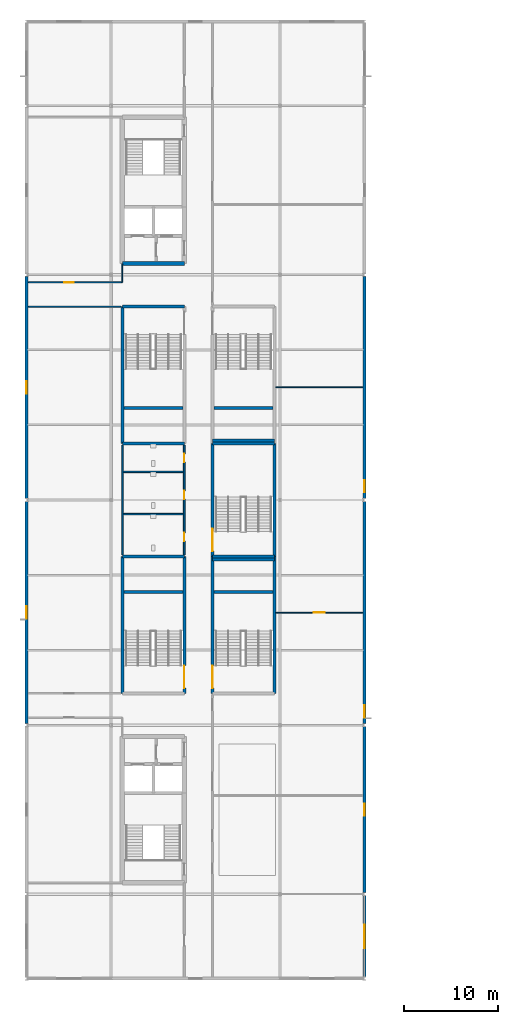
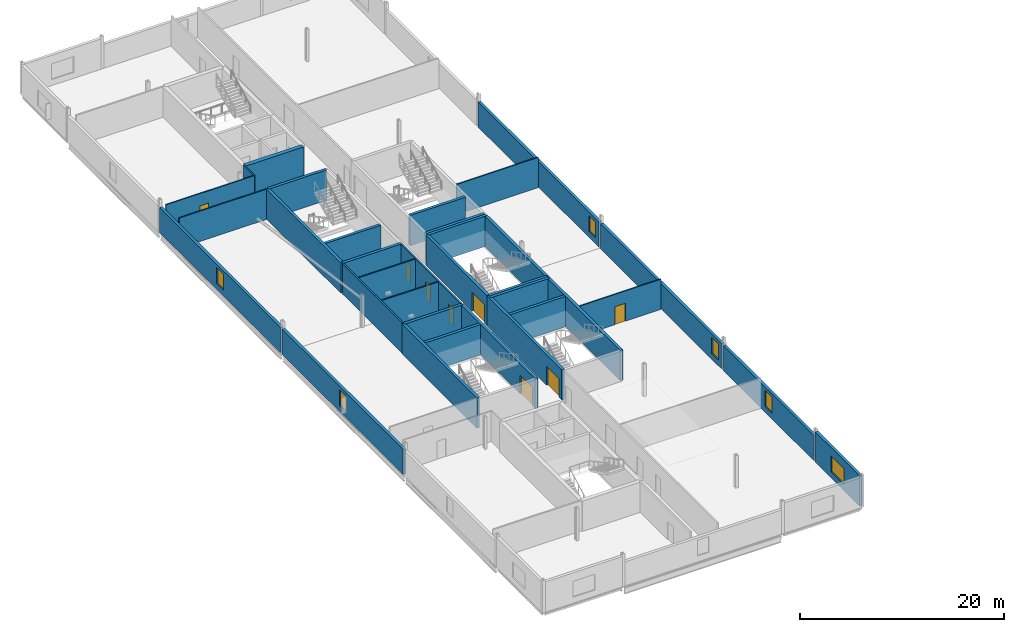
# One storey, part 15 of 31: 34 walls, 8 doors, 6 windows, 14 openings.
"""IFC4 building model written with IfcOpenShell, lengths in metres."""

from ifc_helpers import new_model, si_unit, direction, frame, frame_2d, origin, place, context, subcontext, project, spatial, rectangle, extrude, material, layer, layer_set, type_object, element, fill, save


model = new_model("IFC4")

# Units and contexts
model_context = context("Model", 3, precision=1e-05, world=origin(), true_north=direction((0.0, 1.0)))
body_context = subcontext(model_context, "Body", "Model", "MODEL_VIEW")
ifc_project = project(units=[si_unit("LENGTHUNIT", "METRE"), si_unit("AREAUNIT", "SQUARE_METRE"), si_unit("VOLUMEUNIT", "CUBIC_METRE"), si_unit("PLANEANGLEUNIT", "RADIAN"), si_unit("MASSUNIT", "GRAM", prefix="KILO")], contexts=[model_context])

# Site, building, storey
site_placement = place(None, origin())
site = spatial("IfcSite", under=ifc_project, at=site_placement, CompositionType="ELEMENT")
building_placement = place(site_placement, origin())
building = spatial("IfcBuilding", under=site, at=building_placement, Name="Kisiwana Market Hall", CompositionType="ELEMENT")
storey_placement = place(building_placement, frame((0.0, 0.0, 45.60009765625)))
storey = spatial("IfcBuildingStorey", under=building, at=storey_placement, Name="L10", CompositionType="ELEMENT", Elevation=45.60009765625)

# Walls
ifc_material_1 = material(Name="Concrete C40/50", Category="concrete")
ifc_layer_1 = layer(ifc_material_1, 0.320068359375, Name="Reinforced concrete shaft wall")
ifc_layer_set_1 = layer_set([ifc_layer_1], Name="WL-CORE-320")
wall_type_1 = type_object("IfcWallType", Name="WL-CORE-320", PredefinedType="SHEAR", material=ifc_layer_set_1)
wall_1_placement = place(storey_placement, frame((10.199951171875, 54.0, 0.0), z_axis=(0.0, 0.0, 1.0), x_axis=(1.0, 0.0, 0.0)))
element("IfcWall", 1, at=wall_1_placement, inside=storey, type_object=wall_type_1, Name="Core W3 north shear wall W-2624", PredefinedType="SHEAR", context=body_context, shape_type="SweptSolid", body=[
    extrude(rectangle(XDim=6.60009765625, YDim=0.320068359375, at=frame_2d((3.300048828125, 0.0))), origin(), (0.0, 0.0, 1.0), 3.619873046875),
])
wall_2_placement = place(storey_placement, frame((10.199951171875, 39.39990234375, 0.0), z_axis=(0.0, 0.0, 1.0), x_axis=(0.0, 1.0, 0.0)))
element("IfcWall", 2, at=wall_2_placement, inside=storey, type_object=wall_type_1, Name="Core W3 outer shear wall W-2625", PredefinedType="SHEAR", context=body_context, shape_type="SweptSolid", body=[
    extrude(rectangle(XDim=14.60009765625, YDim=0.320068359375, at=frame_2d((7.300048828125, 0.0))), origin(), (0.0, 0.0, 1.0), 3.619873046875),
])

# Wall, opening, door
wall_3_placement = place(storey_placement, frame((16.800048828125, 39.39990234375, 0.0), z_axis=(0.0, 0.0, 1.0), x_axis=(0.0, 1.0, 0.0)))
wall_3 = element("IfcWall", 3, at=wall_3_placement, inside=storey, type_object=wall_type_1, Name="Core W3 corridor shear wall W-2626", PredefinedType="SHEAR", context=body_context, shape_type="SweptSolid", body=[
    extrude(rectangle(XDim=14.60009765625, YDim=0.320068359375, at=frame_2d((7.300048828125, 0.0))), origin(), (0.0, 0.0, 1.0), 3.619873046875),
])
opening_1_placement = place(wall_3_placement, frame((0.550048828125, 0.0, 0.0)))
opening_1 = element("IfcOpeningElement", 4, at=opening_1_placement, cuts=wall_3, Name="Opening DR-L10-013", PredefinedType="OPENING", context=body_context, shape_type="SweptSolid", body=[
    extrude(rectangle(XDim=2.39990234375, YDim=2.25, at=frame_2d((1.199951171875, 1.125))), frame((0.0, 0.171875, 0.0), z_axis=(0.0, -1.0, 0.0), x_axis=(1.0, 0.0, 0.0)), (0.0, 0.0, 1.0), 0.343994140625),
])
ifc_material_2 = material(Name="Steel S275", Category="steel")
door_type_1 = type_object("IfcDoorType", Name="DR-STAIR-FD120-2400", OperationType="DOUBLE_DOOR_SINGLE_SWING", PredefinedType="DOOR", material=ifc_material_2)
door_1_placement = place(opening_1_placement, origin())
door_1 = element("IfcDoor", 5, at=door_1_placement, inside=storey, type_object=door_type_1, Name="Escape Stair W3 Fire Door (L10)", OperationType="DOUBLE_DOOR_SINGLE_SWING", OverallHeight=2.25, OverallWidth=2.39990234375, PredefinedType="DOOR", context=body_context, shape_type="SweptSolid", body=[
    extrude(rectangle(XDim=2.39990234375, YDim=2.25, at=frame_2d((1.199951171875, 1.125))), frame((0.0, 0.02490234375, 0.0), z_axis=(0.0, -1.0, 0.0), x_axis=(1.0, 0.0, 0.0)), (0.0, 0.0, 1.0), 0.050048828125),
])
fill(opening_1, door_1)

# Walls
wall_4_placement = place(storey_placement, frame((10.360107421875, 50.219970703125, 0.0), z_axis=(0.0, 0.0, 1.0), x_axis=(1.0, 0.0, 0.0)))
element("IfcWall", 6, at=wall_4_placement, inside=storey, type_object=wall_type_1, Name="Core W3 riser divider shear wall W-2627", PredefinedType="SHEAR", context=body_context, shape_type="SweptSolid", body=[
    extrude(rectangle(XDim=6.27978515625, YDim=0.320068359375, at=frame_2d((3.139892578125, 0.0))), origin(), (0.0, 0.0, 1.0), 3.619873046875),
])
for number, where, z_axis, x_axis, name in (
    (7, (10.199951171875, 66.0, 0.0), (0.0, 0.0, 1.0), (1.0, 0.0, 0.0), "Core W4 south shear wall W-2628"),
    (8, (10.199951171875, 80.60009765625, 0.0), (0.0, 0.0, 1.0), (1.0, 0.0, 0.0), "Core W4 north shear wall W-2629"),
):
    element("IfcWall", number, at=place(storey_placement, frame(where, z_axis=z_axis, x_axis=x_axis)), inside=storey, type_object=wall_type_1, Name=name, PredefinedType="SHEAR", context=body_context, shape_type="SweptSolid", body=[
        extrude(rectangle(XDim=6.60009765625, YDim=0.320068359375, at=frame_2d((3.300048828125, 0.0))), origin(), (0.0, 0.0, 1.0), 3.619873046875),
    ])
wall_5_placement = place(storey_placement, frame((10.199951171875, 66.0, 0.0), z_axis=(0.0, 0.0, 1.0), x_axis=(0.0, 1.0, 0.0)))
element("IfcWall", 9, at=wall_5_placement, inside=storey, type_object=wall_type_1, Name="Core W4 outer shear wall W-2630", PredefinedType="SHEAR", context=body_context, shape_type="SweptSolid", body=[
    extrude(rectangle(XDim=14.60009765625, YDim=0.320068359375, at=frame_2d((7.300048828125, 0.0))), origin(), (0.0, 0.0, 1.0), 3.619873046875),
])
wall_6_placement = place(storey_placement, frame((10.360107421875, 69.780029296875, 0.0), z_axis=(0.0, 0.0, 1.0), x_axis=(1.0, 0.0, 0.0)))
element("IfcWall", 10, at=wall_6_placement, inside=storey, type_object=wall_type_1, Name="Core W4 riser divider shear wall W-2632", PredefinedType="SHEAR", context=body_context, shape_type="SweptSolid", body=[
    extrude(rectangle(XDim=6.27978515625, YDim=0.320068359375, at=frame_2d((3.139892578125, 0.0))), origin(), (0.0, 0.0, 1.0), 3.619873046875),
])
wall_7_placement = place(storey_placement, frame((19.800048828125, 54.0, 0.0), z_axis=(0.0, 0.0, 1.0), x_axis=(1.0, 0.0, 0.0)))
element("IfcWall", 11, at=wall_7_placement, inside=storey, type_object=wall_type_1, Name="Core W7 north shear wall W-2644", PredefinedType="SHEAR", context=body_context, shape_type="SweptSolid", body=[
    extrude(rectangle(XDim=6.599853515625, YDim=0.320068359375, at=frame_2d((3.2998046875, 0.0))), origin(), (0.0, 0.0, 1.0), 3.619873046875),
])

# Wall, opening, door
wall_8_placement = place(storey_placement, frame((19.800048828125, 39.39990234375, 0.0), z_axis=(0.0, 0.0, 1.0), x_axis=(0.0, 1.0, 0.0)))
wall_8 = element("IfcWall", 12, at=wall_8_placement, inside=storey, type_object=wall_type_1, Name="Core W7 corridor shear wall W-2645", PredefinedType="SHEAR", context=body_context, shape_type="SweptSolid", body=[
    extrude(rectangle(XDim=14.60009765625, YDim=0.320068359375, at=frame_2d((7.300048828125, 0.0))), origin(), (0.0, 0.0, 1.0), 3.619873046875),
])
opening_2_placement = place(wall_8_placement, frame((0.550048828125, 0.0, 0.0)))
opening_2 = element("IfcOpeningElement", 13, at=opening_2_placement, cuts=wall_8, Name="Opening DR-L10-017", PredefinedType="OPENING", context=body_context, shape_type="SweptSolid", body=[
    extrude(rectangle(XDim=2.39990234375, YDim=2.25, at=frame_2d((1.199951171875, 1.125))), frame((0.0, 0.171875, 0.0), z_axis=(0.0, -1.0, 0.0), x_axis=(1.0, 0.0, 0.0)), (0.0, 0.0, 1.0), 0.343994140625),
])
door_2_placement = place(opening_2_placement, frame((2.39990234375, 0.0, 0.0), z_axis=(0.0, 0.0, 1.0), x_axis=(-1.0, 0.0, 0.0)))
door_2 = element("IfcDoor", 14, at=door_2_placement, inside=storey, type_object=door_type_1, Name="Escape Stair W7 Fire Door (L10)", OperationType="DOUBLE_DOOR_SINGLE_SWING", OverallHeight=2.25, OverallWidth=2.39990234375, PredefinedType="DOOR", context=body_context, shape_type="SweptSolid", body=[
    extrude(rectangle(XDim=2.39990234375, YDim=2.25, at=frame_2d((1.199951171875, 1.125))), frame((0.0, 0.02490234375, 0.0), z_axis=(0.0, -1.0, 0.0), x_axis=(1.0, 0.0, 0.0)), (0.0, 0.0, 1.0), 0.050048828125),
])
fill(opening_2, door_2)

# Walls
wall_9_placement = place(storey_placement, frame((26.39990234375, 39.39990234375, 0.0), z_axis=(0.0, 0.0, 1.0), x_axis=(0.0, 1.0, 0.0)))
element("IfcWall", 15, at=wall_9_placement, inside=storey, type_object=wall_type_1, Name="Core W7 outer shear wall W-2646", PredefinedType="SHEAR", context=body_context, shape_type="SweptSolid", body=[
    extrude(rectangle(XDim=14.60009765625, YDim=0.320068359375, at=frame_2d((7.300048828125, 0.0))), origin(), (0.0, 0.0, 1.0), 3.619873046875),
])
wall_10_placement = place(storey_placement, frame((19.9599609375, 50.219970703125, 0.0), z_axis=(0.0, 0.0, 1.0), x_axis=(1.0, 0.0, 0.0)))
element("IfcWall", 16, at=wall_10_placement, inside=storey, type_object=wall_type_1, Name="Core W7 riser divider shear wall W-2647", PredefinedType="SHEAR", context=body_context, shape_type="SweptSolid", body=[
    extrude(rectangle(XDim=6.280029296875, YDim=0.320068359375, at=frame_2d((3.14013671875, 0.0))), origin(), (0.0, 0.0, 1.0), 3.619873046875),
])
wall_11_placement = place(storey_placement, frame((19.800048828125, 66.0, 0.0), z_axis=(0.0, 0.0, 1.0), x_axis=(1.0, 0.0, 0.0)))
element("IfcWall", 17, at=wall_11_placement, inside=storey, type_object=wall_type_1, Name="Core W8 south shear wall W-2653", PredefinedType="SHEAR", context=body_context, shape_type="SweptSolid", body=[
    extrude(rectangle(XDim=6.599853515625, YDim=0.320068359375, at=frame_2d((3.2998046875, 0.0))), origin(), (0.0, 0.0, 1.0), 3.619873046875),
])
wall_12_placement = place(storey_placement, frame((19.9599609375, 69.780029296875, 0.0), z_axis=(0.0, 0.0, 1.0), x_axis=(1.0, 0.0, 0.0)))
element("IfcWall", 18, at=wall_12_placement, inside=storey, type_object=wall_type_1, Name="Core W8 riser divider shear wall W-2657", PredefinedType="SHEAR", context=body_context, shape_type="SweptSolid", body=[
    extrude(rectangle(XDim=6.280029296875, YDim=0.320068359375, at=frame_2d((3.14013671875, 0.0))), origin(), (0.0, 0.0, 1.0), 3.619873046875),
])
for number, where, z_axis, x_axis, name in (
    (19, (19.800048828125, 53.679931640625, 0.0), (0.0, 0.0, 1.0), (1.0, 0.0, 0.0), "Core W5 south shear wall W-2663"),
    (20, (19.800048828125, 66.320068359375, 0.0), (0.0, 0.0, 1.0), (1.0, 0.0, 0.0), "Core W5 north shear wall W-2664"),
):
    element("IfcWall", number, at=place(storey_placement, frame(where, z_axis=z_axis, x_axis=x_axis)), inside=storey, type_object=wall_type_1, Name=name, PredefinedType="SHEAR", context=body_context, shape_type="SweptSolid", body=[
        extrude(rectangle(XDim=6.599853515625, YDim=0.320068359375, at=frame_2d((3.2998046875, 0.0))), origin(), (0.0, 0.0, 1.0), 3.619873046875),
    ])

# Wall, opening, door
wall_13_placement = place(storey_placement, frame((19.800048828125, 54.0, 0.0), z_axis=(0.0, 0.0, 1.0), x_axis=(0.0, 1.0, 0.0)))
wall_13 = element("IfcWall", 21, at=wall_13_placement, inside=storey, type_object=wall_type_1, Name="Core W5 corridor shear wall W-2665", PredefinedType="SHEAR", context=body_context, shape_type="SweptSolid", body=[
    extrude(rectangle(XDim=12.0, YDim=0.320068359375, at=frame_2d((6.0, 0.0))), origin(), (0.0, 0.0, 1.0), 3.619873046875),
])
opening_3_placement = place(wall_13_placement, frame((0.550048828125, 0.0, 0.0)))
opening_3 = element("IfcOpeningElement", 22, at=opening_3_placement, cuts=wall_13, Name="Opening DR-L10-021", PredefinedType="OPENING", context=body_context, shape_type="SweptSolid", body=[
    extrude(rectangle(XDim=2.39990234375, YDim=2.25, at=frame_2d((1.199951171875, 1.125))), frame((0.0, 0.171875, 0.0), z_axis=(0.0, -1.0, 0.0), x_axis=(1.0, 0.0, 0.0)), (0.0, 0.0, 1.0), 0.343994140625),
])
door_3_placement = place(opening_3_placement, frame((2.39990234375, 0.0, 0.0), z_axis=(0.0, 0.0, 1.0), x_axis=(-1.0, 0.0, 0.0)))
door_3 = element("IfcDoor", 23, at=door_3_placement, inside=storey, type_object=door_type_1, Name="Escape Stair W5 Fire Door (L10)", OperationType="DOUBLE_DOOR_SINGLE_SWING", OverallHeight=2.25, OverallWidth=2.39990234375, PredefinedType="DOOR", context=body_context, shape_type="SweptSolid", body=[
    extrude(rectangle(XDim=2.39990234375, YDim=2.25, at=frame_2d((1.199951171875, 1.125))), frame((0.0, 0.02490234375, 0.0), z_axis=(0.0, -1.0, 0.0), x_axis=(1.0, 0.0, 0.0)), (0.0, 0.0, 1.0), 0.050048828125),
])
fill(opening_3, door_3)

# Walls
wall_14_placement = place(storey_placement, frame((26.39990234375, 54.0, 0.0), z_axis=(0.0, 0.0, 1.0), x_axis=(0.0, 1.0, 0.0)))
element("IfcWall", 24, at=wall_14_placement, inside=storey, type_object=wall_type_1, Name="Core W5 outer shear wall W-2666", PredefinedType="SHEAR", context=body_context, shape_type="SweptSolid", body=[
    extrude(rectangle(XDim=12.0, YDim=0.320068359375, at=frame_2d((6.0, 0.0))), origin(), (0.0, 0.0, 1.0), 3.619873046875),
])
ifc_material_3 = material(Name="Concrete C40/50", Category="concrete")
ifc_layer_2 = layer(ifc_material_3, 0.449951171875, Name="Reinforced concrete core wall")
ifc_layer_set_2 = layer_set([ifc_layer_2], Name="WL-CORE-450")
wall_type_2 = type_object("IfcWallType", Name="WL-CORE-450", PredefinedType="SHEAR", material=ifc_layer_set_2)
wall_15_placement = place(storey_placement, frame((10.199951171875, 85.199951171875, 0.0), z_axis=(0.0, 0.0, 1.0), x_axis=(1.0, 0.0, 0.0)))
element("IfcWall", 25, at=wall_15_placement, inside=storey, type_object=wall_type_2, Name="Core W1 south shear wall W-2596", PredefinedType="SHEAR", context=body_context, shape_type="SweptSolid", body=[
    extrude(rectangle(XDim=6.60009765625, YDim=0.449951171875, at=frame_2d((3.300048828125, 0.0))), origin(), (0.0, 0.0, 1.0), 3.619873046875),
])
ifc_material_4 = material(Name="Masonry blockwork", Category="masonry")
ifc_layer_3 = layer(ifc_material_4, 0.169921875, Name="Protected corridor partition")
ifc_layer_set_3 = layer_set([ifc_layer_3], Name="WL-CORR-170")
wall_type_3 = type_object("IfcWallType", Name="WL-CORR-170", PredefinedType="PARTITIONING", material=ifc_layer_set_3)
wall_16_placement = place(storey_placement, frame((10.199951171875, 54.159912109375, 0.0), z_axis=(0.0, 0.0, 1.0), x_axis=(0.0, 1.0, 0.0)))
element("IfcWall", 26, at=wall_16_placement, inside=storey, type_object=wall_type_3, Name="Interior partition W-2711", PredefinedType="PARTITIONING", context=body_context, shape_type="SweptSolid", body=[
    extrude(rectangle(XDim=11.68017578125, YDim=0.169921875, at=frame_2d((5.840087890625, 0.0))), origin(), (0.0, 0.0, 1.0), 3.619873046875),
])

# Wall, openings, doors
wall_17_placement = place(storey_placement, frame((16.800048828125, 54.159912109375, 0.0), z_axis=(0.0, 0.0, 1.0), x_axis=(0.0, 1.0, 0.0)))
wall_17 = element("IfcWall", 27, at=wall_17_placement, inside=storey, type_object=wall_type_3, Name="Interior partition W-2712", PredefinedType="PARTITIONING", context=body_context, shape_type="SweptSolid", body=[
    extrude(rectangle(XDim=11.68017578125, YDim=0.169921875, at=frame_2d((5.840087890625, 0.0))), origin(), (0.0, 0.0, 1.0), 3.619873046875),
])
opening_4_placement = place(wall_17_placement, frame((1.43994140625, 0.0, 0.0)))
opening_4 = element("IfcOpeningElement", 28, at=opening_4_placement, cuts=wall_17, Name="Opening DR-L10-023", PredefinedType="OPENING", context=body_context, shape_type="SweptSolid", body=[
    extrude(rectangle(XDim=0.89990234375, YDim=2.10009765625, at=frame_2d((0.449951171875, 1.050048828125))), frame((0.0, 0.096923828125, 0.0), z_axis=(0.0, -1.0, 0.0), x_axis=(1.0, 0.0, 0.0)), (0.0, 0.0, 1.0), 0.19384765625),
])
opening_5_placement = place(wall_17_placement, frame((5.93994140625, 0.0, 0.0)))
opening_5 = element("IfcOpeningElement", 29, at=opening_5_placement, cuts=wall_17, Name="Opening DR-L10-024", PredefinedType="OPENING", context=body_context, shape_type="SweptSolid", body=[
    extrude(rectangle(XDim=0.89990234375, YDim=2.10009765625, at=frame_2d((0.449951171875, 1.050048828125))), frame((0.0, 0.096923828125, 0.0), z_axis=(0.0, -1.0, 0.0), x_axis=(1.0, 0.0, 0.0)), (0.0, 0.0, 1.0), 0.19384765625),
])
opening_6_placement = place(wall_17_placement, frame((9.840087890625, 0.0, 0.0)))
opening_6 = element("IfcOpeningElement", 30, at=opening_6_placement, cuts=wall_17, Name="Opening DR-L10-025", PredefinedType="OPENING", context=body_context, shape_type="SweptSolid", body=[
    extrude(rectangle(XDim=0.949951171875, YDim=2.10009765625, at=frame_2d((0.47509765625, 1.050048828125))), frame((0.0, 0.096923828125, 0.0), z_axis=(0.0, -1.0, 0.0), x_axis=(1.0, 0.0, 0.0)), (0.0, 0.0, 1.0), 0.19384765625),
])
ifc_material_5 = material(Name="Aluminium alloy 6063-T6", Category="aluminium")
door_type_2 = type_object("IfcDoorType", Name="DR-WC-ACC-950", OperationType="NOTDEFINED", PredefinedType="DOOR", material=ifc_material_5)
door_4_placement = place(opening_6_placement, origin())
door_4 = element("IfcDoor", 31, at=door_4_placement, inside=storey, type_object=door_type_2, Name="L10 W Accessible WC Door", OperationType="SINGLE_SWING_RIGHT", OverallHeight=2.10009765625, OverallWidth=0.949951171875, PredefinedType="DOOR", context=body_context, shape_type="SweptSolid", body=[
    extrude(rectangle(XDim=0.949951171875, YDim=2.10009765625, at=frame_2d((0.47509765625, 1.050048828125))), frame((0.0, 0.02490234375, 0.0), z_axis=(0.0, -1.0, 0.0), x_axis=(1.0, 0.0, 0.0)), (0.0, 0.0, 1.0), 0.050048828125),
])
fill(opening_6, door_4)
ifc_material_6 = material(Name="Aluminium alloy 6063-T6", Category="aluminium")
door_type_3 = type_object("IfcDoorType", Name="DR-WC-STD-900", OperationType="NOTDEFINED", PredefinedType="DOOR", material=ifc_material_6)
door_5_placement = place(opening_4_placement, origin())
door_5 = element("IfcDoor", 32, at=door_5_placement, inside=storey, type_object=door_type_3, Name="L10 W Male Toilet Door", OperationType="SINGLE_SWING_LEFT", OverallHeight=2.10009765625, OverallWidth=0.89990234375, PredefinedType="DOOR", context=body_context, shape_type="SweptSolid", body=[
    extrude(rectangle(XDim=0.89990234375, YDim=2.10009765625, at=frame_2d((0.449951171875, 1.050048828125))), frame((0.0, 0.02490234375, 0.0), z_axis=(0.0, -1.0, 0.0), x_axis=(1.0, 0.0, 0.0)), (0.0, 0.0, 1.0), 0.050048828125),
])
fill(opening_4, door_5)
door_6_placement = place(opening_5_placement, origin())
door_6 = element("IfcDoor", 33, at=door_6_placement, inside=storey, type_object=door_type_3, Name="L10 W Female Toilet Door", OperationType="SINGLE_SWING_RIGHT", OverallHeight=2.10009765625, OverallWidth=0.89990234375, PredefinedType="DOOR", context=body_context, shape_type="SweptSolid", body=[
    extrude(rectangle(XDim=0.89990234375, YDim=2.10009765625, at=frame_2d((0.449951171875, 1.050048828125))), frame((0.0, 0.02490234375, 0.0), z_axis=(0.0, -1.0, 0.0), x_axis=(1.0, 0.0, 0.0)), (0.0, 0.0, 1.0), 0.050048828125),
])
fill(opening_5, door_6)

# Wall, opening, window
ifc_material_7 = material(Name="Concrete C40/50 precast", Category="concrete")
ifc_layer_4 = layer(ifc_material_7, 0.31494140625)
ifc_layer_set_4 = layer_set([ifc_layer_4], Name="WL-EXT-315")
wall_type_4 = type_object("IfcWallType", Name="WL-EXT-315", PredefinedType="STANDARD", material=ifc_layer_set_4)
wall_18_placement = place(storey_placement, frame((0.0, 36.159912109375, 0.0), z_axis=(0.0, 0.0, 1.0), x_axis=(0.0, 1.0, 0.0)))
wall_18 = element("IfcWall", 34, at=wall_18_placement, inside=storey, type_object=wall_type_4, Name="Exterior wall W-2685", PredefinedType="STANDARD", context=body_context, shape_type="SweptSolid", body=[
    extrude(rectangle(XDim=23.68017578125, YDim=0.31494140625, at=frame_2d((11.840087890625, 0.0))), origin(), (0.0, 0.0, 1.0), 3.0078125),
])
opening_7_placement = place(wall_18_placement, frame((11.190185546875, 0.0, 0.699951171875)))
opening_7 = element("IfcOpeningElement", 35, at=opening_7_placement, cuts=wall_18, Name="Opening WN-08", PredefinedType="OPENING", context=body_context, shape_type="SweptSolid", body=[
    extrude(rectangle(XDim=1.300048828125, YDim=1.89990234375, at=frame_2d((0.64990234375, 0.949951171875))), frame((0.0, 0.16943359375, 0.0), z_axis=(0.0, -1.0, 0.0), x_axis=(1.0, 0.0, 0.0)), (0.0, 0.0, 1.0), 0.3388671875),
])
ifc_material_8 = material(Name="Double-glazed solar-control low-E IGU", Category="glass")
window_type_1 = type_object("IfcWindowType", Name="WN-OFFB-1300x1900", PartitioningType="SINGLE_PANEL", PredefinedType="WINDOW", material=ifc_material_8)
window_1_placement = place(opening_7_placement, origin())
window_1 = element("IfcWindow", 36, at=window_1_placement, inside=storey, type_object=window_type_1, Name="Exterior window WN-299", OverallHeight=1.89990234375, OverallWidth=1.300048828125, PartitioningType="SINGLE_PANEL", PredefinedType="WINDOW", context=body_context, shape_type="SweptSolid", body=[
    extrude(rectangle(XDim=1.300048828125, YDim=1.89990234375, at=frame_2d((0.64990234375, 0.949951171875))), frame((0.0, 0.030029296875, 0.0), z_axis=(0.0, -1.0, 0.0), x_axis=(1.0, 0.0, 0.0)), (0.0, 0.0, 1.0), 0.06005859375),
])
fill(opening_7, window_1)

wall_19_placement = place(storey_placement, frame((0.0, 60.159912109375, 0.0), z_axis=(0.0, 0.0, 1.0), x_axis=(0.0, 1.0, 0.0)))
wall_19 = element("IfcWall", 37, at=wall_19_placement, inside=storey, type_object=wall_type_4, Name="Exterior wall W-2686", PredefinedType="STANDARD", context=body_context, shape_type="SweptSolid", body=[
    extrude(rectangle(XDim=23.68017578125, YDim=0.31494140625, at=frame_2d((11.840087890625, 0.0))), origin(), (0.0, 0.0, 1.0), 3.0078125),
])
opening_8_placement = place(wall_19_placement, frame((11.190185546875, 0.0, 0.699951171875)))
opening_8 = element("IfcOpeningElement", 38, at=opening_8_placement, cuts=wall_19, Name="Opening WN-08", PredefinedType="OPENING", context=body_context, shape_type="SweptSolid", body=[
    extrude(rectangle(XDim=1.300048828125, YDim=1.89990234375, at=frame_2d((0.64990234375, 0.949951171875))), frame((0.0, 0.16943359375, 0.0), z_axis=(0.0, -1.0, 0.0), x_axis=(1.0, 0.0, 0.0)), (0.0, 0.0, 1.0), 0.3388671875),
])
window_2_placement = place(opening_8_placement, origin())
window_2 = element("IfcWindow", 39, at=window_2_placement, inside=storey, type_object=window_type_1, Name="Exterior window WN-300", OverallHeight=1.89990234375, OverallWidth=1.300048828125, PartitioningType="SINGLE_PANEL", PredefinedType="WINDOW", context=body_context, shape_type="SweptSolid", body=[
    extrude(rectangle(XDim=1.300048828125, YDim=1.89990234375, at=frame_2d((0.64990234375, 0.949951171875))), frame((0.0, 0.030029296875, 0.0), z_axis=(0.0, -1.0, 0.0), x_axis=(1.0, 0.0, 0.0)), (0.0, 0.0, 1.0), 0.06005859375),
])
fill(opening_8, window_2)

wall_20_placement = place(storey_placement, frame((36.0, 9.159912109375, 0.0), z_axis=(0.0, 0.0, 1.0), x_axis=(0.0, 1.0, 0.0)))
wall_20 = element("IfcWall", 40, at=wall_20_placement, inside=storey, type_object=wall_type_4, Name="Exterior wall W-2689", PredefinedType="STANDARD", context=body_context, shape_type="SweptSolid", body=[
    extrude(rectangle(XDim=8.680419921875, YDim=0.31494140625, at=frame_2d((4.34033203125, 0.0))), origin(), (0.0, 0.0, 1.0), 3.619873046875),
])
opening_9_placement = place(wall_20_placement, frame((3.09033203125, 0.0, 0.699951171875)))
opening_9 = element("IfcOpeningElement", 41, at=opening_9_placement, cuts=wall_20, Name="Opening WN-17", PredefinedType="OPENING", context=body_context, shape_type="SweptSolid", body=[
    extrude(rectangle(XDim=2.5, YDim=1.89990234375, at=frame_2d((1.25, 0.949951171875))), frame((0.0, 0.16943359375, 0.0), z_axis=(0.0, -1.0, 0.0), x_axis=(1.0, 0.0, 0.0)), (0.0, 0.0, 1.0), 0.3388671875),
])
ifc_material_9 = material(Name="Double-glazed solar-control low-E IGU", Category="glass")
window_type_2 = type_object("IfcWindowType", Name="WN-OFFB-2500x1900", PartitioningType="SINGLE_PANEL", PredefinedType="WINDOW", material=ifc_material_9)
window_3_placement = place(opening_9_placement, origin())
window_3 = element("IfcWindow", 42, at=window_3_placement, inside=storey, type_object=window_type_2, Name="Exterior window WN-324", OverallHeight=1.89990234375, OverallWidth=2.5, PartitioningType="SINGLE_PANEL", PredefinedType="WINDOW", context=body_context, shape_type="SweptSolid", body=[
    extrude(rectangle(XDim=2.5, YDim=1.89990234375, at=frame_2d((1.25, 0.949951171875))), frame((0.0, 0.030029296875, 0.0), z_axis=(0.0, -1.0, 0.0), x_axis=(1.0, 0.0, 0.0)), (0.0, 0.0, 1.0), 0.06005859375),
])
fill(opening_9, window_3)

wall_21_placement = place(storey_placement, frame((36.0, 18.15966796875, 0.0), z_axis=(0.0, 0.0, 1.0), x_axis=(0.0, 1.0, 0.0)))
wall_21 = element("IfcWall", 43, at=wall_21_placement, inside=storey, type_object=wall_type_4, Name="Exterior wall W-2690", PredefinedType="STANDARD", context=body_context, shape_type="SweptSolid", body=[
    extrude(rectangle(XDim=17.680419921875, YDim=0.31494140625, at=frame_2d((8.84033203125, 0.0))), origin(), (0.0, 0.0, 1.0), 3.0078125),
])
opening_10_placement = place(wall_21_placement, frame((8.190185546875, 0.0, 0.699951171875)))
opening_10 = element("IfcOpeningElement", 44, at=opening_10_placement, cuts=wall_21, Name="Opening WN-08", PredefinedType="OPENING", context=body_context, shape_type="SweptSolid", body=[
    extrude(rectangle(XDim=1.300048828125, YDim=1.89990234375, at=frame_2d((0.64990234375, 0.949951171875))), frame((0.0, 0.16943359375, 0.0), z_axis=(0.0, -1.0, 0.0), x_axis=(1.0, 0.0, 0.0)), (0.0, 0.0, 1.0), 0.3388671875),
])
window_4_placement = place(opening_10_placement, origin())
window_4 = element("IfcWindow", 45, at=window_4_placement, inside=storey, type_object=window_type_1, Name="Exterior window WN-302", OverallHeight=1.89990234375, OverallWidth=1.300048828125, PartitioningType="SINGLE_PANEL", PredefinedType="WINDOW", context=body_context, shape_type="SweptSolid", body=[
    extrude(rectangle(XDim=1.300048828125, YDim=1.89990234375, at=frame_2d((0.64990234375, 0.949951171875))), frame((0.0, 0.030029296875, 0.0), z_axis=(0.0, -1.0, 0.0), x_axis=(1.0, 0.0, 0.0)), (0.0, 0.0, 1.0), 0.06005859375),
])
fill(opening_10, window_4)

wall_22_placement = place(storey_placement, frame((36.0, 36.159912109375, 0.0), z_axis=(0.0, 0.0, 1.0), x_axis=(0.0, 1.0, 0.0)))
wall_22 = element("IfcWall", 46, at=wall_22_placement, inside=storey, type_object=wall_type_4, Name="Exterior wall W-2691", PredefinedType="STANDARD", context=body_context, shape_type="SweptSolid", body=[
    extrude(rectangle(XDim=23.68017578125, YDim=0.31494140625, at=frame_2d((11.840087890625, 0.0))), origin(), (0.0, 0.0, 1.0), 3.0078125),
])
opening_11_placement = place(wall_22_placement, frame((0.64990234375, 0.0, 0.699951171875)))
opening_11 = element("IfcOpeningElement", 47, at=opening_11_placement, cuts=wall_22, Name="Opening WN-08", PredefinedType="OPENING", context=body_context, shape_type="SweptSolid", body=[
    extrude(rectangle(XDim=1.300048828125, YDim=1.89990234375, at=frame_2d((0.64990234375, 0.949951171875))), frame((0.0, 0.16943359375, 0.0), z_axis=(0.0, -1.0, 0.0), x_axis=(1.0, 0.0, 0.0)), (0.0, 0.0, 1.0), 0.3388671875),
])
window_5_placement = place(opening_11_placement, origin())
window_5 = element("IfcWindow", 48, at=window_5_placement, inside=storey, type_object=window_type_1, Name="Exterior window WN-303", OverallHeight=1.89990234375, OverallWidth=1.300048828125, PartitioningType="SINGLE_PANEL", PredefinedType="WINDOW", context=body_context, shape_type="SweptSolid", body=[
    extrude(rectangle(XDim=1.300048828125, YDim=1.89990234375, at=frame_2d((0.64990234375, 0.949951171875))), frame((0.0, 0.030029296875, 0.0), z_axis=(0.0, -1.0, 0.0), x_axis=(1.0, 0.0, 0.0)), (0.0, 0.0, 1.0), 0.06005859375),
])
fill(opening_11, window_5)

wall_23_placement = place(storey_placement, frame((36.0, 60.159912109375, 0.0), z_axis=(0.0, 0.0, 1.0), x_axis=(0.0, 1.0, 0.0)))
wall_23 = element("IfcWall", 49, at=wall_23_placement, inside=storey, type_object=wall_type_4, Name="Exterior wall W-2692", PredefinedType="STANDARD", context=body_context, shape_type="SweptSolid", body=[
    extrude(rectangle(XDim=23.68017578125, YDim=0.31494140625, at=frame_2d((11.840087890625, 0.0))), origin(), (0.0, 0.0, 1.0), 3.0078125),
])
opening_12_placement = place(wall_23_placement, frame((0.64990234375, 0.0, 0.699951171875)))
opening_12 = element("IfcOpeningElement", 50, at=opening_12_placement, cuts=wall_23, Name="Opening WN-08", PredefinedType="OPENING", context=body_context, shape_type="SweptSolid", body=[
    extrude(rectangle(XDim=1.300048828125, YDim=1.89990234375, at=frame_2d((0.64990234375, 0.949951171875))), frame((0.0, 0.16943359375, 0.0), z_axis=(0.0, -1.0, 0.0), x_axis=(1.0, 0.0, 0.0)), (0.0, 0.0, 1.0), 0.3388671875),
])
window_6_placement = place(opening_12_placement, origin())
window_6 = element("IfcWindow", 51, at=window_6_placement, inside=storey, type_object=window_type_1, Name="Exterior window WN-304", OverallHeight=1.89990234375, OverallWidth=1.300048828125, PartitioningType="SINGLE_PANEL", PredefinedType="WINDOW", context=body_context, shape_type="SweptSolid", body=[
    extrude(rectangle(XDim=1.300048828125, YDim=1.89990234375, at=frame_2d((0.64990234375, 0.949951171875))), frame((0.0, 0.030029296875, 0.0), z_axis=(0.0, -1.0, 0.0), x_axis=(1.0, 0.0, 0.0)), (0.0, 0.0, 1.0), 0.06005859375),
])
fill(opening_12, window_6)

# Walls
ifc_material_10 = material(Name="Gypsum plasterboard")
ifc_layer_5 = layer(ifc_material_10, 0.125, Name="Double gypsum board + acoustic stud")
ifc_layer_set_5 = layer_set([ifc_layer_5], Name="WL-OFF-125")
wall_type_5 = type_object("IfcWallType", Name="WL-OFF-125", PredefinedType="PARTITIONING", material=ifc_layer_set_5)
wall_24_placement = place(storey_placement, frame((10.199951171875, 83.199951171875, 0.0), z_axis=(0.0, 0.0, 1.0), x_axis=(0.0, 1.0, 0.0)))
element("IfcWall", 52, at=wall_24_placement, inside=storey, type_object=wall_type_5, Name="Interior partition W-2716", PredefinedType="PARTITIONING", context=body_context, shape_type="SweptSolid", body=[
    extrude(rectangle(XDim=2.0, YDim=0.125, at=frame_2d((1.0, 0.0))), origin(), (0.0, 0.0, 1.0), 3.619873046875),
])
wall_25_placement = place(storey_placement, frame((0.1826171875, 80.60009765625, 0.0), z_axis=(0.0, 0.0, 1.0), x_axis=(1.0, 0.0, 0.0)))
element("IfcWall", 53, at=wall_25_placement, inside=storey, type_object=wall_type_5, Name="Interior partition W-2721", PredefinedType="PARTITIONING", context=body_context, shape_type="SweptSolid", body=[
    extrude(rectangle(XDim=9.857421875, YDim=0.125, at=frame_2d((4.9287109375, 0.0))), origin(), (0.0, 0.0, 1.0), 3.619873046875),
])

# Wall, opening, door
wall_26_placement = place(storey_placement, frame((0.1826171875, 83.199951171875, 0.0), z_axis=(0.0, 0.0, 1.0), x_axis=(1.0, 0.0, 0.0)))
wall_26 = element("IfcWall", 54, at=wall_26_placement, inside=storey, type_object=wall_type_5, Name="Interior partition W-2722", PredefinedType="PARTITIONING", context=body_context, shape_type="SweptSolid", body=[
    extrude(rectangle(XDim=10.017333984375, YDim=0.125, at=frame_2d((5.0087890625, 0.0))), origin(), (0.0, 0.0, 1.0), 3.619873046875),
])
opening_13_placement = place(wall_26_placement, frame((3.81689453125, 0.0, 0.0)))
opening_13 = element("IfcOpeningElement", 55, at=opening_13_placement, cuts=wall_26, Name="Opening DR-L10-028", PredefinedType="OPENING", context=body_context, shape_type="SweptSolid", body=[
    extrude(rectangle(XDim=1.0, YDim=2.14990234375, at=frame_2d((0.5, 1.074951171875))), frame((0.0, 0.074462890625, 0.0), z_axis=(0.0, -1.0, 0.0), x_axis=(1.0, 0.0, 0.0)), (0.0, 0.0, 1.0), 0.14892578125),
])
ifc_material_11 = material(Name="Aluminium alloy 6063-T6", Category="aluminium")
door_type_4 = type_object("IfcDoorType", Name="DR-OFF-1000", OperationType="NOTDEFINED", PredefinedType="DOOR", material=ifc_material_11)
door_7_placement = place(opening_13_placement, origin())
door_7 = element("IfcDoor", 56, at=door_7_placement, inside=storey, type_object=door_type_4, Name="L10 W Commercial Office North Door", OperationType="SINGLE_SWING_LEFT", OverallHeight=2.14990234375, OverallWidth=1.0, PredefinedType="DOOR", context=body_context, shape_type="SweptSolid", body=[
    extrude(rectangle(XDim=1.0, YDim=2.14990234375, at=frame_2d((0.5, 1.074951171875))), frame((0.0, 0.02490234375, 0.0), z_axis=(0.0, -1.0, 0.0), x_axis=(1.0, 0.0, 0.0)), (0.0, 0.0, 1.0), 0.050048828125),
])
fill(opening_13, door_7)

wall_27_placement = place(storey_placement, frame((26.56005859375, 48.0, 0.0), z_axis=(0.0, 0.0, 1.0), x_axis=(1.0, 0.0, 0.0)))
wall_27 = element("IfcWall", 57, at=wall_27_placement, inside=storey, type_object=wall_type_5, Name="Interior partition W-2726", PredefinedType="PARTITIONING", context=body_context, shape_type="SweptSolid", body=[
    extrude(rectangle(XDim=9.25732421875, YDim=0.125, at=frame_2d((4.628662109375, 0.0))), origin(), (0.0, 0.0, 1.0), 3.619873046875),
])
opening_14_placement = place(wall_27_placement, frame((4.050048828125, 0.0, 0.0)))
opening_14 = element("IfcOpeningElement", 58, at=opening_14_placement, cuts=wall_27, Name="Opening DR-L10-031", PredefinedType="OPENING", context=body_context, shape_type="SweptSolid", body=[
    extrude(rectangle(XDim=1.14990234375, YDim=2.14990234375, at=frame_2d((0.574951171875, 1.074951171875))), frame((0.0, 0.074462890625, 0.0), z_axis=(0.0, -1.0, 0.0), x_axis=(1.0, 0.0, 0.0)), (0.0, 0.0, 1.0), 0.14892578125),
])
ifc_material_12 = material(Name="Aluminium alloy 6063-T6", Category="aluminium")
door_type_5 = type_object("IfcDoorType", Name="DR-MEET-1150", OperationType="NOTDEFINED", PredefinedType="DOOR", material=ifc_material_12)
door_8_placement = place(opening_14_placement, origin())
door_8 = element("IfcDoor", 59, at=door_8_placement, inside=storey, type_object=door_type_5, Name="L10 W Engineering Design Studio M3 Door", OperationType="SINGLE_SWING_LEFT", OverallHeight=2.14990234375, OverallWidth=1.14990234375, PredefinedType="DOOR", context=body_context, shape_type="SweptSolid", body=[
    extrude(rectangle(XDim=1.14990234375, YDim=2.14990234375, at=frame_2d((0.574951171875, 1.074951171875))), frame((0.0, 0.02490234375, 0.0), z_axis=(0.0, -1.0, 0.0), x_axis=(1.0, 0.0, 0.0)), (0.0, 0.0, 1.0), 0.050048828125),
])
fill(opening_14, door_8)

# Walls
wall_28_placement = place(storey_placement, frame((26.56005859375, 72.0, 0.0), z_axis=(0.0, 0.0, 1.0), x_axis=(1.0, 0.0, 0.0)))
element("IfcWall", 60, at=wall_28_placement, inside=storey, type_object=wall_type_5, Name="Interior partition W-2727", PredefinedType="PARTITIONING", context=body_context, shape_type="SweptSolid", body=[
    extrude(rectangle(XDim=9.25732421875, YDim=0.125, at=frame_2d((4.628662109375, 0.0))), origin(), (0.0, 0.0, 1.0), 3.619873046875),
])
ifc_material_13 = material(Name="Masonry blockwork", Category="masonry")
ifc_layer_6 = layer(ifc_material_13, 0.14990234375, Name="Water-resistant sanitary block wall")
ifc_layer_set_6 = layer_set([ifc_layer_6], Name="WL-WET-150")
wall_type_6 = type_object("IfcWallType", Name="WL-WET-150", PredefinedType="PARTITIONING", material=ifc_layer_set_6)
for number, where, z_axis, x_axis, name in (
    (61, (10.284912109375, 58.5, 0.0), (0.0, 0.0, 1.0), (1.0, 0.0, 0.0), "Interior partition W-2713"),
    (62, (10.284912109375, 63.0, 0.0), (0.0, 0.0, 1.0), (1.0, 0.0, 0.0), "Interior partition W-2714"),
):
    element("IfcWall", number, at=place(storey_placement, frame(where, z_axis=z_axis, x_axis=x_axis)), inside=storey, type_object=wall_type_6, Name=name, PredefinedType="PARTITIONING", context=body_context, shape_type="SweptSolid", body=[
        extrude(rectangle(XDim=6.43017578125, YDim=0.14990234375, at=frame_2d((3.215087890625, 0.0))), origin(), (0.0, 0.0, 1.0), 3.619873046875),
    ])

save(model, "model.ifc")
